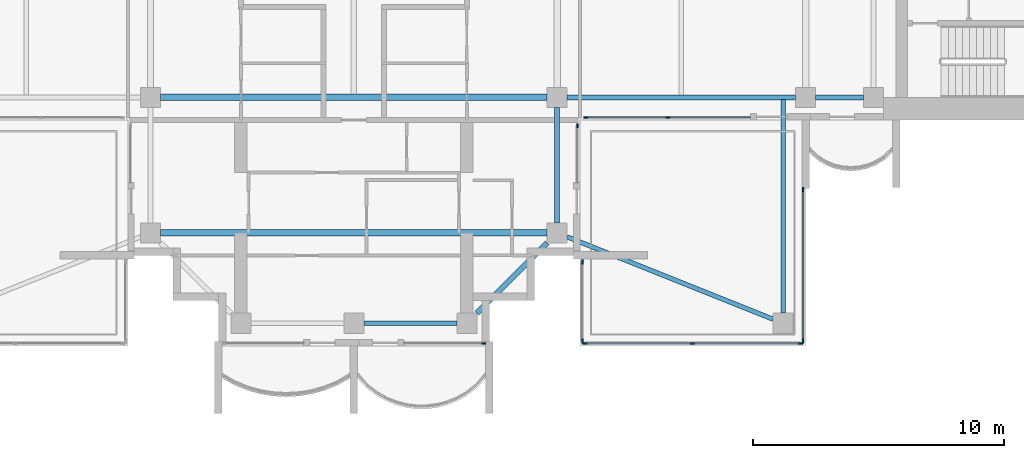
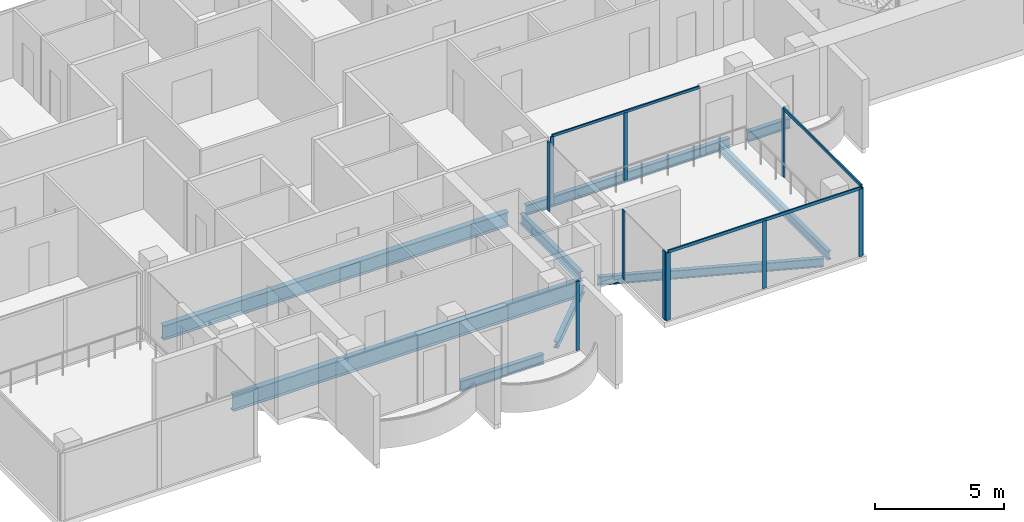
# One storey, part 3 of 16: 14 members, 9 beams, 6 elements without a shape of their own.
"""IFC4 building model written with IfcOpenShell, lengths in metres."""

from ifc_helpers import new_model, si_unit, direction, frame, origin, origin_2d, place, context, subcontext, project, spatial, rectangle, i_section, extrude, material, material_profile, profile_set, type_object, element, aggregate, save


model = new_model("IFC4")

# Units and contexts
model_context = context("Model", 3, precision=1e-05, world=origin(), true_north=direction((0.0, 1.0)))
body_context = subcontext(model_context, "Body", "Model", "MODEL_VIEW")
ifc_project = project(units=[si_unit("LENGTHUNIT", "METRE"), si_unit("AREAUNIT", "SQUARE_METRE"), si_unit("VOLUMEUNIT", "CUBIC_METRE"), si_unit("PLANEANGLEUNIT", "RADIAN"), si_unit("MASSUNIT", "GRAM", prefix="KILO")], contexts=[model_context])

# Site, building, storey
site_placement = place(None, origin())
site = spatial("IfcSite", under=ifc_project, at=site_placement, CompositionType="ELEMENT")
building_placement = place(site_placement, origin())
building = spatial("IfcBuilding", under=site, at=building_placement, Name="Perihelion Cross Residences", CompositionType="ELEMENT")
storey_placement = place(building_placement, frame((0.0, 0.0, 236.0)))
storey = spatial("IfcBuildingStorey", under=building, at=storey_placement, Name="L59", CompositionType="ELEMENT", Elevation=236.0)

# Curtain wall, member
ifc_material_1 = material(Name="Bronze anodised aluminium, tinted glazing", Category="aluminium")
curtain_wall_type_1 = type_object("IfcCurtainWallType", Name="CW1", PredefinedType="NOTDEFINED", material=ifc_material_1)
curtain_wall_1_placement = place(storey_placement, origin())
curtain_wall_1 = element("IfcCurtainWall", 1, at=curtain_wall_1_placement, inside=storey, type_object=curtain_wall_type_1, Name="Curtain wall CW1 L59 south tip south bay 2", PredefinedType="NOTDEFINED")
ifc_material_2 = material(Name="Bronze anodised aluminium", Category="aluminium")
ifc_material_profile_1 = material_profile(ifc_material_2, rectangle(XDim=0.06005859375, YDim=0.159912109375, at=origin_2d()), Name="CW1 mullion")
ifc_profile_set_1 = profile_set([ifc_material_profile_1], Name="Bronze anodised aluminium")
member_type_1 = type_object("IfcMemberType", Name="CW1 mullion", PredefinedType="MULLION", material=ifc_profile_set_1)
member_1_placement = place(storey_placement, frame((5.169921875, -17.89990234375, 0.0), z_axis=(0.0, 0.0, 1.0), x_axis=(0.0, 1.0, 0.0)))
member_1 = element("IfcMember", 2, at=member_1_placement, type_object=member_type_1, Name="CW1 mullion 2", PredefinedType="MULLION", context=body_context, shape_type="SweptSolid", body=[
    extrude(rectangle(XDim=0.06005859375, YDim=0.159912109375, at=origin_2d()), origin(), (0.0, 0.0, 1.0), 3.25),
])
aggregate(curtain_wall_1, [member_1])

curtain_wall_2_placement = place(storey_placement, origin())
curtain_wall_2 = element("IfcCurtainWall", 3, at=curtain_wall_2_placement, inside=storey, type_object=curtain_wall_type_1, Name="Curtain wall CW1 L59 south side east bay 1", PredefinedType="NOTDEFINED")
member_2_placement = place(storey_placement, frame((8.89990234375, -9.22998046875, 0.0), z_axis=(0.0, 0.0, 1.0), x_axis=(-1.0, 0.0, 0.0)))
member_2 = element("IfcMember", 4, at=member_2_placement, type_object=member_type_1, Name="CW1 mullion 2", PredefinedType="MULLION", context=body_context, shape_type="SweptSolid", body=[
    extrude(rectangle(XDim=0.06005859375, YDim=0.159912109375, at=origin_2d()), origin(), (0.0, 0.0, 1.0), 3.25),
])
aggregate(curtain_wall_2, [member_2])

# Curtain wall, members
curtain_wall_3_placement = place(storey_placement, origin())
curtain_wall_3 = element("IfcCurtainWall", 5, at=curtain_wall_3_placement, inside=storey, type_object=curtain_wall_type_1, Name="Curtain wall CW1 L59 east side south bay 1", PredefinedType="NOTDEFINED")
member_3_placement = place(storey_placement, frame((9.22998046875, -8.89990234375, 0.0), z_axis=(0.0, 0.0, 1.0), x_axis=(0.0, 1.0, 0.0)))
member_3 = element("IfcMember", 6, at=member_3_placement, type_object=member_type_1, Name="CW1 mullion 1", PredefinedType="MULLION", context=body_context, shape_type="SweptSolid", body=[
    extrude(rectangle(XDim=0.06005859375, YDim=0.159912109375, at=origin_2d()), origin(), (0.0, 0.0, 1.0), 3.18994140625),
])
member_4_placement = place(storey_placement, frame((12.5, -8.89990234375, 0.0), z_axis=(0.0, 0.0, 1.0), x_axis=(0.0, 1.0, 0.0)))
member_4 = element("IfcMember", 7, at=member_4_placement, type_object=member_type_1, Name="CW1 mullion 2", PredefinedType="MULLION", context=body_context, shape_type="SweptSolid", body=[
    extrude(rectangle(XDim=0.06005859375, YDim=0.159912109375, at=origin_2d()), origin(), (0.0, 0.0, 1.0), 3.18994140625),
])
ifc_material_3 = material(Name="Bronze anodised aluminium", Category="aluminium")
ifc_material_profile_2 = material_profile(ifc_material_3, rectangle(XDim=0.06005859375, YDim=0.1201171875, at=origin_2d()), Name="CW1 transom")
ifc_profile_set_2 = profile_set([ifc_material_profile_2], Name="Bronze anodised aluminium")
member_type_2 = type_object("IfcMemberType", Name="CW1 transom", PredefinedType="USERDEFINED", material=ifc_profile_set_2)
member_5_placement = place(storey_placement, frame((9.22998046875, -8.89990234375, 3.219970703125), z_axis=(1.0, 0.0, 0.0), x_axis=(0.0, 1.0, 0.0)))
member_5 = element("IfcMember", 8, at=member_5_placement, type_object=member_type_2, Name="CW1 head transom", ObjectType="TRANSOM", PredefinedType="USERDEFINED", context=body_context, shape_type="SweptSolid", body=[
    extrude(rectangle(XDim=0.06005859375, YDim=0.1201171875, at=origin_2d()), origin(), (0.0, 0.0, 1.0), 6.570068359375),
])
aggregate(curtain_wall_3, [member_3, member_4, member_5])

ifc_material_4 = material(Name="Bronze anodised aluminium, tinted glazing", Category="aluminium")
curtain_wall_type_2 = type_object("IfcCurtainWallType", Name="CW4", PredefinedType="NOTDEFINED", material=ifc_material_4)
curtain_wall_4_placement = place(storey_placement, origin())
curtain_wall_4 = element("IfcCurtainWall", 9, at=curtain_wall_4_placement, inside=storey, type_object=curtain_wall_type_2, Name="Curtain wall CW4 L59 pocket south-east 1 1", PredefinedType="NOTDEFINED")
ifc_material_5 = material(Name="Bronze anodised aluminium", Category="aluminium")
ifc_material_profile_3 = material_profile(ifc_material_5, rectangle(XDim=0.06005859375, YDim=0.179931640625, at=origin_2d()), Name="CW4 mullion")
ifc_profile_set_3 = profile_set([ifc_material_profile_3], Name="Bronze anodised aluminium")
member_type_3 = type_object("IfcMemberType", Name="CW4 mullion", PredefinedType="MULLION", material=ifc_profile_set_3)
member_6_placement = place(storey_placement, frame((17.89990234375, -11.77001953125, 0.0), z_axis=(0.0, 0.0, 1.0), x_axis=(1.0, 0.0, 0.0)))
member_6 = element("IfcMember", 10, at=member_6_placement, type_object=member_type_3, Name="CW4 mullion 1", PredefinedType="MULLION", context=body_context, shape_type="SweptSolid", body=[
    extrude(rectangle(XDim=0.06005859375, YDim=0.179931640625, at=origin_2d()), origin(), (0.0, 0.0, 1.0), 3.18994140625),
])
member_7_placement = place(storey_placement, frame((17.89990234375, -17.800048828125, 0.0), z_axis=(0.0, 0.0, 1.0), x_axis=(1.0, 0.0, 0.0)))
member_7 = element("IfcMember", 11, at=member_7_placement, type_object=member_type_3, Name="CW4 mullion 2", PredefinedType="MULLION", context=body_context, shape_type="SweptSolid", body=[
    extrude(rectangle(XDim=0.06005859375, YDim=0.179931640625, at=origin_2d()), origin(), (0.0, 0.0, 1.0), 3.18994140625),
])

curtain_wall_5_placement = place(storey_placement, origin())
curtain_wall_5 = element("IfcCurtainWall", 12, at=curtain_wall_5_placement, inside=storey, type_object=curtain_wall_type_2, Name="Curtain wall CW4 L59 pocket south-east 1 2", PredefinedType="NOTDEFINED")
member_8_placement = place(storey_placement, frame((17.800048828125, -17.89990234375, 0.0), z_axis=(0.0, 0.0, 1.0), x_axis=(0.0, -1.0, 0.0)))
member_8 = element("IfcMember", 13, at=member_8_placement, type_object=member_type_3, Name="CW4 mullion 1", PredefinedType="MULLION", context=body_context, shape_type="SweptSolid", body=[
    extrude(rectangle(XDim=0.06005859375, YDim=0.179931640625, at=origin_2d()), origin(), (0.0, 0.0, 1.0), 3.18994140625),
])
member_9_placement = place(storey_placement, frame((13.5, -17.89990234375, 0.0), z_axis=(0.0, 0.0, 1.0), x_axis=(0.0, -1.0, 0.0)))
member_9 = element("IfcMember", 14, at=member_9_placement, type_object=member_type_3, Name="CW4 mullion 2", PredefinedType="MULLION", context=body_context, shape_type="SweptSolid", body=[
    extrude(rectangle(XDim=0.06005859375, YDim=0.179931640625, at=origin_2d()), origin(), (0.0, 0.0, 1.0), 3.18994140625),
])
member_10_placement = place(storey_placement, frame((9.199951171875, -17.89990234375, 0.0), z_axis=(0.0, 0.0, 1.0), x_axis=(0.0, -1.0, 0.0)))
member_10 = element("IfcMember", 15, at=member_10_placement, type_object=member_type_3, Name="CW4 mullion 3", PredefinedType="MULLION", context=body_context, shape_type="SweptSolid", body=[
    extrude(rectangle(XDim=0.06005859375, YDim=0.179931640625, at=origin_2d()), origin(), (0.0, 0.0, 1.0), 3.18994140625),
])

curtain_wall_6_placement = place(storey_placement, origin())
curtain_wall_6 = element("IfcCurtainWall", 16, at=curtain_wall_6_placement, inside=storey, type_object=curtain_wall_type_2, Name="Curtain wall CW4 L59 pocket south-east 1 3", PredefinedType="NOTDEFINED")
member_11_placement = place(storey_placement, frame((9.10009765625, -17.800048828125, 0.0), z_axis=(0.0, 0.0, 1.0), x_axis=(-1.0, 0.0, 0.0)))
member_11 = element("IfcMember", 17, at=member_11_placement, type_object=member_type_3, Name="CW4 mullion 1", PredefinedType="MULLION", context=body_context, shape_type="SweptSolid", body=[
    extrude(rectangle(XDim=0.06005859375, YDim=0.179931640625, at=origin_2d()), origin(), (0.0, 0.0, 1.0), 3.25),
])
member_12_placement = place(storey_placement, frame((9.10009765625, -14.658935546875, 0.0), z_axis=(0.0, 0.0, 1.0), x_axis=(-1.0, 0.0, 0.0)))
member_12 = element("IfcMember", 18, at=member_12_placement, type_object=member_type_3, Name="CW4 mullion 2", PredefinedType="MULLION", context=body_context, shape_type="SweptSolid", body=[
    extrude(rectangle(XDim=0.06005859375, YDim=0.179931640625, at=origin_2d()), origin(), (0.0, 0.0, 1.0), 3.25),
])
aggregate(curtain_wall_6, [member_11, member_12])

# Member
ifc_material_6 = material(Name="Bronze anodised aluminium", Category="aluminium")
ifc_material_profile_4 = material_profile(ifc_material_6, rectangle(XDim=0.06005859375, YDim=0.139892578125, at=origin_2d()), Name="CW4 transom")
ifc_profile_set_4 = profile_set([ifc_material_profile_4], Name="Bronze anodised aluminium")
member_type_4 = type_object("IfcMemberType", Name="CW4 transom", PredefinedType="USERDEFINED", material=ifc_profile_set_4)
member_13_placement = place(storey_placement, frame((17.89990234375, -11.77001953125, 3.219970703125), z_axis=(0.0, -1.0, 0.0), x_axis=(1.0, 0.0, 0.0)))
member_13 = element("IfcMember", 19, at=member_13_placement, type_object=member_type_4, Name="CW4 head transom", ObjectType="TRANSOM", PredefinedType="USERDEFINED", context=body_context, shape_type="SweptSolid", body=[
    extrude(rectangle(XDim=0.06005859375, YDim=0.139892578125, at=origin_2d()), origin(), (0.0, 0.0, 1.0), 6.030029296875),
])

aggregate(curtain_wall_4, [member_6, member_7, member_13])

member_14_placement = place(storey_placement, frame((17.800048828125, -17.89990234375, 3.219970703125), z_axis=(-1.0, 0.0, 0.0), x_axis=(0.0, -1.0, 0.0)))
member_14 = element("IfcMember", 20, at=member_14_placement, type_object=member_type_4, Name="CW4 head transom", ObjectType="TRANSOM", PredefinedType="USERDEFINED", context=body_context, shape_type="SweptSolid", body=[
    extrude(rectangle(XDim=0.06005859375, YDim=0.139892578125, at=origin_2d()), origin(), (0.0, 0.0, 1.0), 8.60009765625),
])

aggregate(curtain_wall_5, [member_8, member_9, member_10, member_14])

# Beams
ifc_material_7 = material(Name="Steel S355", Category="steel")
ifc_material_profile_5 = material_profile(ifc_material_7, i_section(OverallWidth=0.177978515625, OverallDepth=0.406005859375, WebThickness=0.0078125, FlangeThickness=0.0126953125, at=origin_2d()), Name="W410x60")
ifc_profile_set_5 = profile_set([ifc_material_profile_5], Name="Steel S355")
beam_type_1 = type_object("IfcBeamType", Name="Core edge beam W410x60", PredefinedType="BEAM", material=ifc_profile_set_5)
beam_1_placement = place(storey_placement, frame((17.10009765625, -8.197021484375, -0.452880859375), z_axis=(0.0, -1.0, 0.0), x_axis=(1.0, 0.0, 0.0)))
element("IfcBeam", 21, at=beam_1_placement, inside=storey, type_object=beam_type_1, Name="Core edge beam TB2 L59 corner no. 3", PredefinedType="BEAM", context=body_context, shape_type="SweptSolid", body=[
    extrude(i_section(OverallWidth=0.177978515625, OverallDepth=0.406005859375, WebThickness=0.0078125, FlangeThickness=0.0126953125, at=origin_2d()), origin(), (0.0, 0.0, 1.0), 8.5029296875),
])
beam_2_placement = place(storey_placement, frame((8.5, -13.659912109375, -0.452880859375), z_axis=(0.928474784399, -0.371395442534, 0.0), x_axis=(0.371395442534, 0.928474784399, 0.0)))
element("IfcBeam", 22, at=beam_2_placement, inside=storey, type_object=beam_type_1, Name="Core edge beam TB2 L59 corner no. 4", PredefinedType="BEAM", context=body_context, shape_type="SweptSolid", body=[
    extrude(i_section(OverallWidth=0.177978515625, OverallDepth=0.406005859375, WebThickness=0.0078125, FlangeThickness=0.0126953125, at=origin_2d()), origin(), (0.0, 0.0, 1.0), 8.83154296875),
])
ifc_material_8 = material(Name="Steel S355", Category="steel")
ifc_material_profile_6 = material_profile(ifc_material_8, i_section(OverallWidth=0.194091796875, OverallDepth=0.469970703125, WebThickness=0.0126953125, FlangeThickness=0.0205078125, at=origin_2d()), Name="W460x106")
ifc_profile_set_6 = profile_set([ifc_material_profile_6], Name="Steel S355")
beam_type_2 = type_object("IfcBeamType", Name="Edge beam W460x106", PredefinedType="SPANDREL", material=ifc_profile_set_6)
beam_3_placement = place(storey_placement, frame((0.39990234375, -17.10009765625, -0.485107421875), z_axis=(1.0, 0.0, 0.0), x_axis=(0.0, 1.0, 0.0)))
element("IfcBeam", 23, at=beam_3_placement, inside=storey, type_object=beam_type_2, Name="Edge beam SB5 L59 no. 7", PredefinedType="SPANDREL", context=body_context, shape_type="SweptSolid", body=[
    extrude(i_section(OverallWidth=0.194091796875, OverallDepth=0.469970703125, WebThickness=0.0126953125, FlangeThickness=0.0205078125, at=origin_2d()), origin(), (0.0, 0.0, 1.0), 3.7001953125),
])
beam_4_placement = place(storey_placement, frame((8.10009765625, -13.10009765625, -0.485107421875), z_axis=(0.0, 1.0, 0.0), x_axis=(-1.0, 0.0, 0.0)))
element("IfcBeam", 24, at=beam_4_placement, inside=storey, type_object=beam_type_2, Name="Edge beam SB5 L59 no. 11", PredefinedType="SPANDREL", context=body_context, shape_type="SweptSolid", body=[
    extrude(i_section(OverallWidth=0.194091796875, OverallDepth=0.469970703125, WebThickness=0.0126953125, FlangeThickness=0.0205078125, at=origin_2d()), origin(), (0.0, 0.0, 1.0), 4.60009765625),
])
beam_5_placement = place(storey_placement, frame((8.5, -8.10009765625, -0.485107421875), z_axis=(1.0, 0.0, 0.0), x_axis=(0.0, 1.0, 0.0)))
element("IfcBeam", 25, at=beam_5_placement, inside=storey, type_object=beam_type_2, Name="Edge beam SB5 L59 no. 12", PredefinedType="SPANDREL", context=body_context, shape_type="SweptSolid", body=[
    extrude(i_section(OverallWidth=0.194091796875, OverallDepth=0.469970703125, WebThickness=0.0126953125, FlangeThickness=0.0205078125, at=origin_2d()), origin(), (0.0, 0.0, 1.0), 9.10009765625),
])
beam_6_placement = place(storey_placement, frame((18.39990234375, -8.10009765625, -0.485107421875), z_axis=(1.0, 0.0, 0.0), x_axis=(0.0, 1.0, 0.0)))
element("IfcBeam", 26, at=beam_6_placement, inside=storey, type_object=beam_type_2, Name="Edge beam SB5 L59 no. 8", PredefinedType="SPANDREL", context=body_context, shape_type="SweptSolid", body=[
    extrude(i_section(OverallWidth=0.194091796875, OverallDepth=0.469970703125, WebThickness=0.0126953125, FlangeThickness=0.0205078125, at=origin_2d()), origin(), (0.0, 0.0, 1.0), 1.900146484375),
])
ifc_material_9 = material(Name="Steel S355", Category="steel")
ifc_material_profile_7 = material_profile(ifc_material_9, i_section(OverallWidth=0.26708984375, OverallDepth=0.75390625, WebThickness=0.01318359375, FlangeThickness=0.01708984375, at=origin_2d()), Name="W760x147")
ifc_profile_set_7 = profile_set([ifc_material_profile_7], Name="Steel S355")
beam_type_3 = type_object("IfcBeamType", Name="Floor girder W760x147", PredefinedType="BEAM", material=ifc_profile_set_7)
beam_7_placement = place(storey_placement, frame((-7.699951171875, -13.5, -0.626953125), z_axis=(1.0, 0.0, 0.0), x_axis=(0.0, 1.0, 0.0)))
element("IfcBeam", 27, at=beam_7_placement, inside=storey, type_object=beam_type_3, Name="Girder G5 L59 no. 3", PredefinedType="BEAM", context=body_context, shape_type="SweptSolid", body=[
    extrude(i_section(OverallWidth=0.26708984375, OverallDepth=0.75390625, WebThickness=0.01318359375, FlangeThickness=0.01708984375, at=origin_2d()), origin(), (0.0, 0.0, 1.0), 15.39990234375),
])
ifc_material_10 = material(Name="Steel S355", Category="steel")
ifc_material_profile_8 = material_profile(ifc_material_10, i_section(OverallWidth=0.25390625, OverallDepth=0.677978515625, WebThickness=0.01171875, FlangeThickness=0.016357421875, at=origin_2d()), Name="W690x125")
ifc_profile_set_8 = profile_set([ifc_material_profile_8], Name="Steel S355")
beam_type_4 = type_object("IfcBeamType", Name="Hub ring girder W690x125", PredefinedType="BEAM", material=ifc_profile_set_8)
beam_8_placement = place(storey_placement, frame((-7.699951171875, -8.10009765625, -0.589111328125), z_axis=(1.0, 0.0, 0.0), x_axis=(0.0, 1.0, 0.0)))
element("IfcBeam", 28, at=beam_8_placement, inside=storey, type_object=beam_type_4, Name="Hub ring girder RG5 L59 no. 1", PredefinedType="BEAM", context=body_context, shape_type="SweptSolid", body=[
    extrude(i_section(OverallWidth=0.25390625, OverallDepth=0.677978515625, WebThickness=0.01171875, FlangeThickness=0.016357421875, at=origin_2d()), origin(), (0.0, 0.0, 1.0), 15.39990234375),
])
ifc_material_11 = material(Name="Steel S355", Category="steel")
ifc_material_profile_9 = material_profile(ifc_material_11, i_section(OverallWidth=0.202880859375, OverallDepth=0.302001953125, WebThickness=0.007568359375, FlangeThickness=0.01318359375, at=origin_2d()), Name="W310x60")
ifc_profile_set_9 = profile_set([ifc_material_profile_9], Name="Steel S355")
beam_type_5 = type_object("IfcBeamType", Name="Serration edge beam W310x60", PredefinedType="BEAM", material=ifc_profile_set_9)
beam_9_placement = place(storey_placement, frame((4.89990234375, -16.699951171875, -0.40087890625), z_axis=(0.707106781187, 0.707106781187, 0.0), x_axis=(-0.707106781187, 0.707106781187, 0.0)))
element("IfcBeam", 29, at=beam_9_placement, inside=storey, type_object=beam_type_5, Name="Serration edge beam EB5 L59 no. 2", PredefinedType="BEAM", context=body_context, shape_type="SweptSolid", body=[
    extrude(i_section(OverallWidth=0.202880859375, OverallDepth=0.302001953125, WebThickness=0.007568359375, FlangeThickness=0.01318359375, at=origin_2d()), origin(), (0.0, 0.0, 1.0), 3.9599609375),
])

save(model, "model.ifc")
